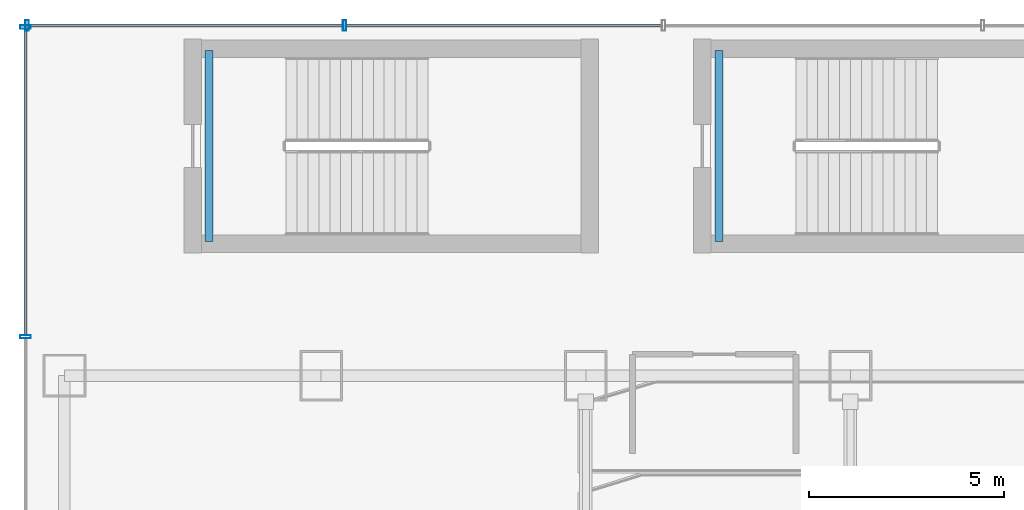
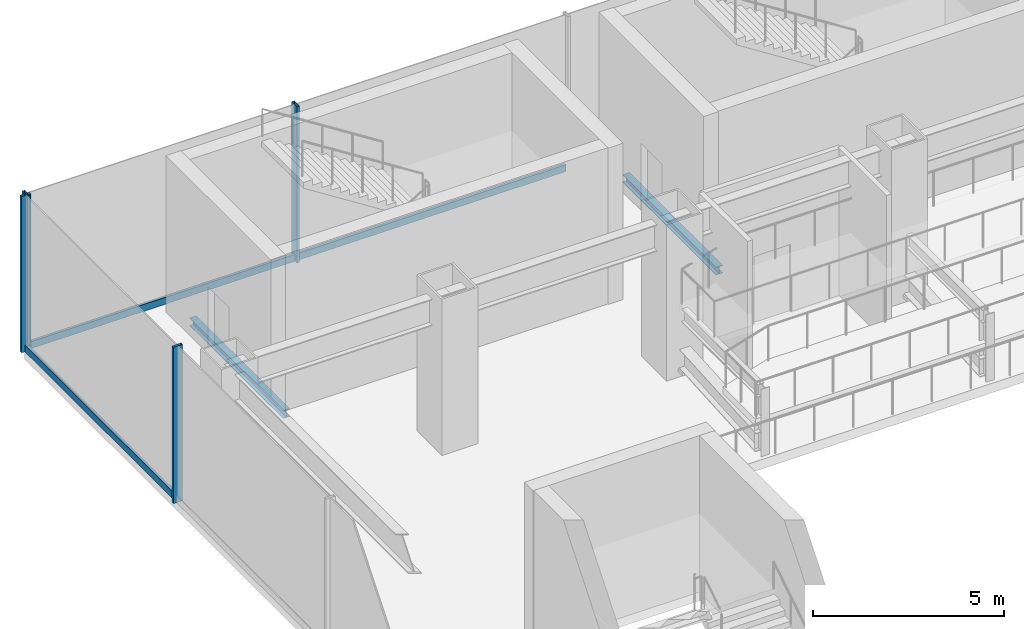
# One storey, part 14 of 39: 7 members, 2 beams, 2 elements without a shape of their own.
"""IFC4 building model written with IfcOpenShell, lengths in metres."""

from ifc_helpers import new_model, si_unit, derived_unit, direction, frame, origin, origin_2d, place, context, subcontext, project, spatial, hollow_rectangle, i_section, extrude, source, transform, mapped, material, material_profile, profile_set, type_object, element, aggregate, save


model = new_model("IFC4")

# Units and contexts
model_context = context("Model", 3, precision=1e-05, world=origin(), true_north=direction((0.0, 1.0)))
body_context = subcontext(model_context, "Body", "Model", "MODEL_VIEW")
ifc_project = project(units=[si_unit("LENGTHUNIT", "METRE"), si_unit("AREAUNIT", "SQUARE_METRE"), si_unit("VOLUMEUNIT", "CUBIC_METRE"), si_unit("PLANEANGLEUNIT", "RADIAN"), si_unit("MASSUNIT", "GRAM", prefix="KILO"), derived_unit("THERMALTRANSMITTANCEUNIT", [(si_unit("POWERUNIT", "WATT"), 1), (si_unit("LENGTHUNIT", "METRE"), -2), (si_unit("THERMODYNAMICTEMPERATUREUNIT", "KELVIN"), -1)])], contexts=[model_context])

# Site, building, storey
site_placement = place(None, origin())
site = spatial("IfcSite", under=ifc_project, at=site_placement, CompositionType="ELEMENT")
building_placement = place(site_placement, origin())
building = spatial("IfcBuilding", under=site, at=building_placement, Name="Skarnbrae Concourse Arena and Tower", CompositionType="ELEMENT")
storey_placement = place(building_placement, frame((0.0, 0.0, 16.0)))
storey = spatial("IfcBuildingStorey", under=building, at=storey_placement, Name="L03", CompositionType="ELEMENT", Elevation=16.0)

# Curtain wall, members
ifc_material_1 = material(Name="Bronze anodised aluminium 6063-T6", Category="aluminium")
curtain_wall_type = type_object("IfcCurtainWallType", Name="CW-SYS-01-PODIUM", PredefinedType="USERDEFINED", material=ifc_material_1)
curtain_wall_1_placement = place(storey_placement, origin())
curtain_wall_1 = element("IfcCurtainWall", 1, at=curtain_wall_1_placement, inside=storey, type_object=curtain_wall_type, Name="L03 Unitised curtain wall CW-L03-N", ObjectType="UNITISED CURTAIN WALL", PredefinedType="USERDEFINED")
ifc_material_profile_1 = material_profile(ifc_material_1, hollow_rectangle(XDim=0.0849609375, YDim=0.280029296875, WallThickness=0.006103515625, at=origin_2d()), Name="ALU-MULL-85X280")
ifc_profile_set_1 = profile_set([ifc_material_profile_1], Name="Bronze anodised aluminium 6063-T6")
member_type_1 = type_object("IfcMemberType", Name="CWM-CW-01", PredefinedType="MULLION", material=ifc_profile_set_1)
shared_shape_1 = source(origin(), body_context, "Body", "SweptSolid", [
    extrude(hollow_rectangle(XDim=0.0849609375, YDim=0.280029296875, WallThickness=0.006103515625, at=origin_2d()), origin(), (0.0, 0.0, 1.0), 5.0),
])
member_1_placement = place(storey_placement, frame((8.199951171875, 56.0, 0.0), z_axis=(0.0, 0.0, 1.0), x_axis=(-1.0, 0.0, 0.0)))
member_1 = element("IfcMember", 2, at=member_1_placement, type_object=member_type_1, Name="CW-L03-N Mullion 10", PredefinedType="MULLION", context=body_context, shape_type="MappedRepresentation", body=[
    mapped(shared_shape_1, transform((0.0, 0.0, 0.0))),
])
member_2_placement = place(storey_placement, frame((0.04248046875, 56.0, 0.0), z_axis=(0.0, 0.0, 1.0), x_axis=(-1.0, 0.0, 0.0)))
member_2 = element("IfcMember", 3, at=member_2_placement, type_object=member_type_1, Name="CW-L03-N Mullion 11", PredefinedType="MULLION", context=body_context, shape_type="MappedRepresentation", body=[
    mapped(shared_shape_1, transform((0.0, 0.0, 0.0))),
])

curtain_wall_2_placement = place(storey_placement, origin())
curtain_wall_2 = element("IfcCurtainWall", 4, at=curtain_wall_2_placement, inside=storey, type_object=curtain_wall_type, Name="L03 Unitised curtain wall CW-L03-W", ObjectType="UNITISED CURTAIN WALL", PredefinedType="USERDEFINED")
member_3_placement = place(storey_placement, frame((0.0, 55.95751953125, 0.0), z_axis=(0.0, 0.0, 1.0), x_axis=(0.0, -1.0, 0.0)))
member_3 = element("IfcMember", 5, at=member_3_placement, type_object=member_type_1, Name="CW-L03-W Mullion 1", PredefinedType="MULLION", context=body_context, shape_type="MappedRepresentation", body=[
    mapped(shared_shape_1, transform((0.0, 0.0, 0.0))),
])
member_4_placement = place(storey_placement, frame((0.0, 48.0, 0.0), z_axis=(0.0, 0.0, 1.0), x_axis=(0.0, -1.0, 0.0)))
member_4 = element("IfcMember", 6, at=member_4_placement, type_object=member_type_1, Name="CW-L03-W Mullion 2", PredefinedType="MULLION", context=body_context, shape_type="MappedRepresentation", body=[
    mapped(shared_shape_1, transform((0.0, 0.0, 0.0))),
])
ifc_material_profile_2 = material_profile(ifc_material_1, hollow_rectangle(XDim=0.0849609375, YDim=0.219970703125, WallThickness=0.006103515625, at=origin_2d()), Name="ALU-TRAN-85X220")
ifc_profile_set_2 = profile_set([ifc_material_profile_2], Name="Bronze anodised aluminium 6063-T6")
member_type_2 = type_object("IfcMemberType", Name="CWT-CW-01", PredefinedType="USERDEFINED", material=ifc_profile_set_2)
shared_shape_2 = source(origin(), body_context, "Body", "SweptSolid", [
    extrude(hollow_rectangle(XDim=0.0849609375, YDim=0.219970703125, WallThickness=0.006103515625, at=origin_2d()), origin(), (0.0, 0.0, 1.0), 7.87255859375),
])
member_5_placement = place(storey_placement, frame((0.0, 55.9150390625, 0.110107421875), z_axis=(0.0, -1.0, 0.0), x_axis=(1.0, 0.0, 0.0)))
member_5 = element("IfcMember", 7, at=member_5_placement, type_object=member_type_2, Name="CW-L03-W Transom 1", ObjectType="TRANSOM", PredefinedType="USERDEFINED", context=body_context, shape_type="MappedRepresentation", body=[
    mapped(shared_shape_2, transform((0.0, 0.0, 0.0))),
])
aggregate(curtain_wall_2, [member_3, member_4, member_5])

# Member
shared_shape_3 = source(origin(), body_context, "Body", "SweptSolid", [
    extrude(hollow_rectangle(XDim=0.0849609375, YDim=0.219970703125, WallThickness=0.006103515625, at=origin_2d()), origin(), (0.0, 0.0, 1.0), 8.072509765625),
])
member_6_placement = place(storey_placement, frame((8.157470703125, 56.0, 0.110107421875), z_axis=(-1.0, 0.0, 0.0), x_axis=(0.0, -1.0, 0.0)))
member_6 = element("IfcMember", 8, at=member_6_placement, type_object=member_type_2, Name="CW-L03-N Transom 10", ObjectType="TRANSOM", PredefinedType="USERDEFINED", context=body_context, shape_type="MappedRepresentation", body=[
    mapped(shared_shape_3, transform((0.0, 0.0, 0.0))),
])

shared_shape_4 = source(origin(), body_context, "Body", "SweptSolid", [
    extrude(hollow_rectangle(XDim=0.0849609375, YDim=0.219970703125, WallThickness=0.006103515625, at=origin_2d()), origin(), (0.0, 0.0, 1.0), 8.114990234375),
])
member_7_placement = place(storey_placement, frame((16.357421875, 56.0, 0.110107421875), z_axis=(-1.0, 0.0, 0.0), x_axis=(0.0, -1.0, 0.0)))
member_7 = element("IfcMember", 9, at=member_7_placement, type_object=member_type_2, Name="CW-L03-N Transom 9", ObjectType="TRANSOM", PredefinedType="USERDEFINED", context=body_context, shape_type="MappedRepresentation", body=[
    mapped(shared_shape_4, transform((0.0, 0.0, 0.0))),
])

aggregate(curtain_wall_1, [member_1, member_2, member_7, member_6])

# Beams
ifc_material_2 = material(Name="Steel CSA G40.21 350W", Category="steel")
ifc_material_profile_3 = material_profile(ifc_material_2, i_section(OverallWidth=0.202880859375, OverallDepth=0.251953125, WebThickness=0.008056640625, FlangeThickness=0.013427734375, at=origin_2d()), Name="W250X58")
ifc_profile_set_3 = profile_set([ifc_material_profile_3], Name="Steel CSA G40.21 350W")
beam_type = type_object("IfcBeamType", Name="BM-LINTEL-W250X58", PredefinedType="LINTEL", material=ifc_profile_set_3)
shared_shape_5 = source(origin(), body_context, "Body", "SweptSolid", [
    extrude(i_section(OverallWidth=0.202880859375, OverallDepth=0.251953125, WebThickness=0.008056640625, FlangeThickness=0.013427734375, at=origin_2d()), origin(), (0.0, 0.0, 1.0), 4.900146484375),
])
for number, where, z_axis, x_axis, name in (
    (10, (4.719970703125, 50.449951171875, -0.325927734375), (0.0, 1.0, 0.0), (-1.0, 0.0, 0.0), "L03 Stair ST-A5 near landing soffit beam"),
    (11, (17.820068359375, 50.449951171875, -0.325927734375), (0.0, 1.0, 0.0), (-1.0, 0.0, 0.0), "L03 Stair ST-A6 near landing soffit beam"),
):
    element("IfcBeam", number, at=place(storey_placement, frame(where, z_axis=z_axis, x_axis=x_axis)), inside=storey, type_object=beam_type, Name=name, PredefinedType="LINTEL", context=body_context, shape_type="MappedRepresentation", body=[
        mapped(shared_shape_5, transform((0.0, 0.0, 0.0))),
    ])

save(model, "model.ifc")
